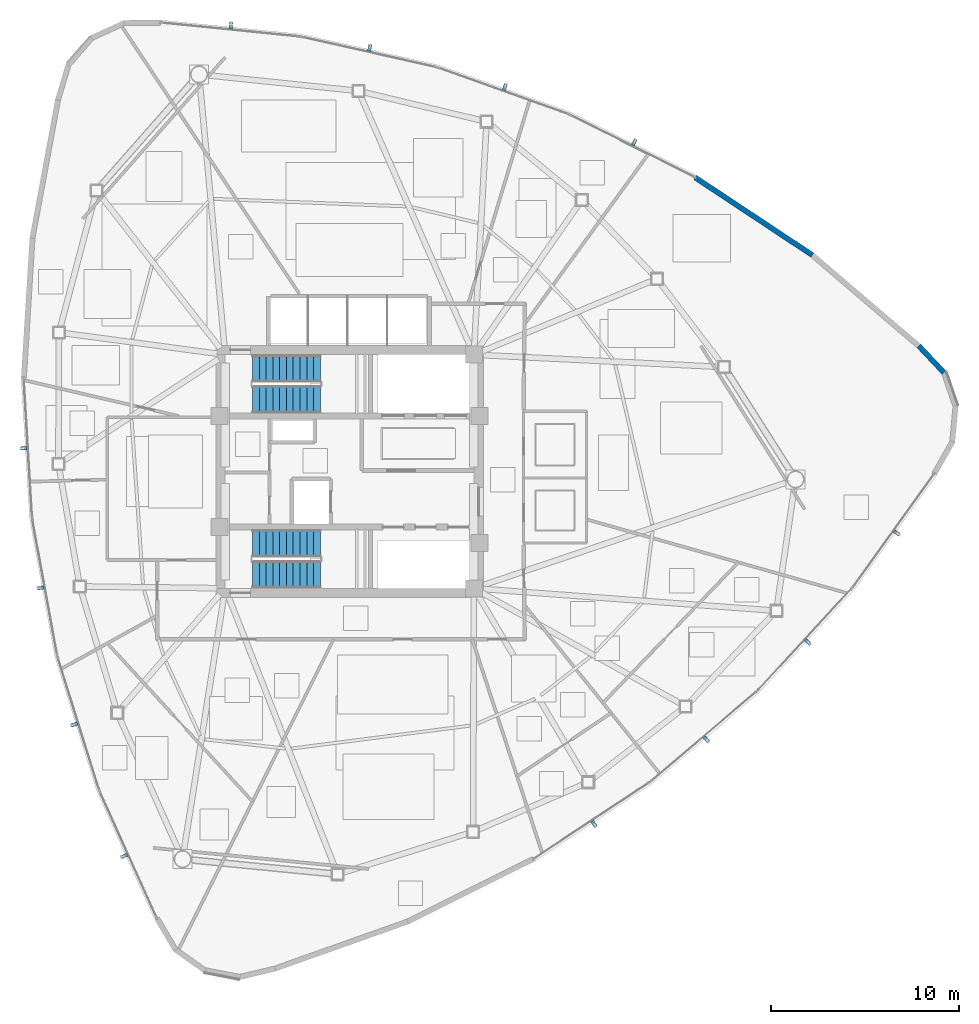
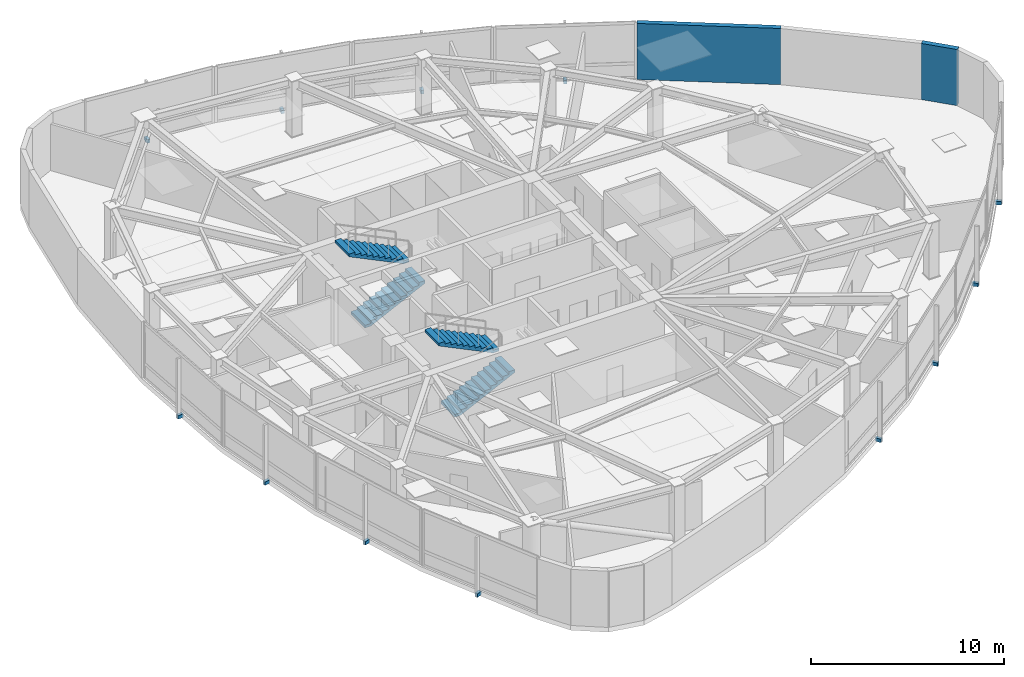
# One storey, part 13 of 17: 12 discrete accessories, 4 stair flights, 2 walls, 2 elements without a shape of their own.
"""IFC4 building model written with IfcOpenShell, lengths in metres."""

from ifc_helpers import new_model, si_unit, direction, frame, frame_2d, origin, origin_2d, place, context, subcontext, project, spatial, polyline, rectangle, outline, extrude, source, transform, mapped, material, layer, layer_set, type_object, type_shapes, element, aggregate, save


model = new_model("IFC4")

# Units and contexts
model_context = context("Model", 3, precision=1e-05, world=origin(), true_north=direction((0.0, 1.0)))
body_context = subcontext(model_context, "Body", "Model", "MODEL_VIEW")
ifc_project = project(units=[si_unit("LENGTHUNIT", "METRE"), si_unit("AREAUNIT", "SQUARE_METRE"), si_unit("VOLUMEUNIT", "CUBIC_METRE"), si_unit("PLANEANGLEUNIT", "RADIAN"), si_unit("MASSUNIT", "GRAM", prefix="KILO")], contexts=[model_context])

# Site, building, storey
site_placement = place(None, origin())
site = spatial("IfcSite", under=ifc_project, at=site_placement, CompositionType="ELEMENT")
building_placement = place(site_placement, origin())
building = spatial("IfcBuilding", under=site, at=building_placement, Name="Tavelor Broadcast Tower", CompositionType="ELEMENT")
storey_placement = place(building_placement, frame((0.0, 0.0, 188.75)))
storey = spatial("IfcBuildingStorey", under=building, at=storey_placement, Name="L45", CompositionType="ELEMENT", Elevation=188.75)

# Walls
ifc_material_1 = material(Name="Precast Concrete C40/50", Category="concrete")
ifc_layer = layer(ifc_material_1, 0.280029296875)
ifc_layer_set = layer_set([ifc_layer], Name="Precast Concrete C40/50")
wall_type = type_object("IfcWallType", Name="Insulated Precast Terracotta Facade Wall 280 mm", PredefinedType="STANDARD", material=ifc_layer_set)
wall_1_placement = place(storey_placement, frame((81.56298828125, 50.2451171875, 0.0), z_axis=(0.0, 0.0, 1.0), x_axis=(-0.686458504201, 0.727168977618, 0.0)))
element("IfcWall", 1, at=wall_1_placement, inside=storey, type_object=wall_type, Name="L45 Rounded Corner Structural Cladding Pier 24", PredefinedType="STANDARD", context=body_context, shape_type="SweptSolid", body=[
    extrude(rectangle(XDim=1.955078125, YDim=0.280029296875, at=frame_2d((0.9775390625, 0.0))), origin(), (0.0, 0.0, 1.0), 3.550048828125),
])
wall_2_placement = place(storey_placement, frame((74.5732421875, 56.486572265625, 0.0), z_axis=(0.0, 0.0, 1.0), x_axis=(-0.833630247996, 0.552322921511, 0.0)))
element("IfcWall", 2, at=wall_2_placement, inside=storey, type_object=wall_type, Name="L45 Rounded Corner Structural Cladding Pier 26", PredefinedType="STANDARD", context=body_context, shape_type="SweptSolid", body=[
    extrude(rectangle(XDim=7.472412109375, YDim=0.280029296875, at=frame_2d((3.736328125, 0.0))), origin(), (0.0, 0.0, 1.0), 3.550048828125),
])

# Stair, stair flights
ifc_material_2 = material(Name="Concrete C40/50", Category="concrete")
stair_type = type_object("IfcStairType", Name="Reinforced Concrete Protected Dogleg Stair 1450 mm", PredefinedType="HALF_TURN_STAIR", material=ifc_material_2)
stair_1_placement = place(storey_placement, origin())
stair_1 = element("IfcStair", 3, at=stair_1_placement, inside=storey, type_object=stair_type, Name="L45 Protected Core Exit Stair ST1", PredefinedType="HALF_TURN_STAIR")
stair_flight_type = type_object("IfcStairFlightType", Name="Reinforced Concrete Stair Flight 1450 mm", PredefinedType="STRAIGHT", material=ifc_material_2)
stair_flight_1_placement = place(storey_placement, frame((44.85009765625, 48.824951171875, 0.0), z_axis=(0.0, 0.0, 1.0), x_axis=(1.0, 0.0, 0.0)))
stair_flight_1 = element("IfcStairFlight", 4, at=stair_flight_1_placement, type_object=stair_flight_type, Name="ST1 flight 1", NumberOfRisers=11, NumberOfTreads=10, PredefinedType="STRAIGHT", RiserHeight=0.175, TreadLength=0.36, context=body_context, shape_type="SweptSolid", body=[
    extrude(outline(polyline([(0.0, 0.0), (0.0, 0.175048828125), (0.360107421875, 0.175048828125), (0.360107421875, 0.35009765625), (0.719970703125, 0.35009765625), (0.719970703125, 0.52490234375), (1.080078125, 0.52490234375), (1.080078125, 0.699951171875), (1.43994140625, 0.699951171875), (1.43994140625, 0.875), (1.800048828125, 0.875), (1.800048828125, 1.050048828125), (2.159912109375, 1.050048828125), (2.159912109375, 1.22509765625), (2.52001953125, 1.22509765625), (2.52001953125, 1.39990234375), (2.8798828125, 1.39990234375), (2.8798828125, 1.574951171875), (3.239990234375, 1.574951171875), (3.239990234375, 1.75), (3.60009765625, 1.75), (3.60009765625, 1.925048828125), (3.60009765625, 1.583251953125), (0.3427734375, 0.0), (0.0, 0.0)])), frame((0.0, 0.72509765625, 0.0), z_axis=(0.0, -1.0, 0.0), x_axis=(1.0, 0.0, 0.0)), (0.0, 0.0, 1.0), 1.449951171875),
])
stair_flight_2_placement = place(storey_placement, frame((48.449951171875, 50.47509765625, 1.925048828125), z_axis=(0.0, 0.0, 1.0), x_axis=(-1.0, 0.0, 0.0)))
stair_flight_2 = element("IfcStairFlight", 5, at=stair_flight_2_placement, type_object=stair_flight_type, Name="ST1 flight 2", NumberOfRisers=11, NumberOfTreads=10, PredefinedType="STRAIGHT", RiserHeight=0.175, TreadLength=0.36, context=body_context, shape_type="SweptSolid", body=[
    extrude(outline(polyline([(0.0, 0.0), (0.0, 0.175048828125), (0.360107421875, 0.175048828125), (0.360107421875, 0.35009765625), (0.719970703125, 0.35009765625), (0.719970703125, 0.52490234375), (1.080078125, 0.52490234375), (1.080078125, 0.699951171875), (1.43994140625, 0.699951171875), (1.43994140625, 0.875), (1.800048828125, 0.875), (1.800048828125, 1.050048828125), (2.159912109375, 1.050048828125), (2.159912109375, 1.22509765625), (2.52001953125, 1.22509765625), (2.52001953125, 1.39990234375), (2.8798828125, 1.39990234375), (2.8798828125, 1.574951171875), (3.239990234375, 1.574951171875), (3.239990234375, 1.75), (3.60009765625, 1.75), (3.60009765625, 1.925048828125), (3.60009765625, 1.583251953125), (0.3427734375, 0.0), (0.0, 0.0)])), frame((0.0, 0.72509765625, 0.0), z_axis=(0.0, -1.0, 0.0), x_axis=(1.0, 0.0, 0.0)), (0.0, 0.0, 1.0), 1.449951171875),
])
aggregate(stair_1, [stair_flight_1, stair_flight_2])

stair_2_placement = place(storey_placement, origin())
stair_2 = element("IfcStair", 6, at=stair_2_placement, inside=storey, type_object=stair_type, Name="L45 Protected Core Exit Stair ST2", PredefinedType="HALF_TURN_STAIR")
stair_flight_3_placement = place(storey_placement, frame((44.85009765625, 39.52490234375, 0.0), z_axis=(0.0, 0.0, 1.0), x_axis=(1.0, 0.0, 0.0)))
stair_flight_3 = element("IfcStairFlight", 7, at=stair_flight_3_placement, type_object=stair_flight_type, Name="ST2 flight 1", NumberOfRisers=11, NumberOfTreads=10, PredefinedType="STRAIGHT", RiserHeight=0.175, TreadLength=0.36, context=body_context, shape_type="SweptSolid", body=[
    extrude(outline(polyline([(0.0, 0.0), (0.0, 0.175048828125), (0.360107421875, 0.175048828125), (0.360107421875, 0.35009765625), (0.719970703125, 0.35009765625), (0.719970703125, 0.52490234375), (1.080078125, 0.52490234375), (1.080078125, 0.699951171875), (1.43994140625, 0.699951171875), (1.43994140625, 0.875), (1.800048828125, 0.875), (1.800048828125, 1.050048828125), (2.159912109375, 1.050048828125), (2.159912109375, 1.22509765625), (2.52001953125, 1.22509765625), (2.52001953125, 1.39990234375), (2.8798828125, 1.39990234375), (2.8798828125, 1.574951171875), (3.239990234375, 1.574951171875), (3.239990234375, 1.75), (3.60009765625, 1.75), (3.60009765625, 1.925048828125), (3.60009765625, 1.583251953125), (0.3427734375, 0.0), (0.0, 0.0)])), frame((0.0, 0.72509765625, 0.0), z_axis=(0.0, -1.0, 0.0), x_axis=(1.0, 0.0, 0.0)), (0.0, 0.0, 1.0), 1.449951171875),
])
stair_flight_4_placement = place(storey_placement, frame((48.449951171875, 41.175048828125, 1.925048828125), z_axis=(0.0, 0.0, 1.0), x_axis=(-1.0, 0.0, 0.0)))
stair_flight_4 = element("IfcStairFlight", 8, at=stair_flight_4_placement, type_object=stair_flight_type, Name="ST2 flight 2", NumberOfRisers=11, NumberOfTreads=10, PredefinedType="STRAIGHT", RiserHeight=0.175, TreadLength=0.36, context=body_context, shape_type="SweptSolid", body=[
    extrude(outline(polyline([(0.0, 0.0), (0.0, 0.175048828125), (0.360107421875, 0.175048828125), (0.360107421875, 0.35009765625), (0.719970703125, 0.35009765625), (0.719970703125, 0.52490234375), (1.080078125, 0.52490234375), (1.080078125, 0.699951171875), (1.43994140625, 0.699951171875), (1.43994140625, 0.875), (1.800048828125, 0.875), (1.800048828125, 1.050048828125), (2.159912109375, 1.050048828125), (2.159912109375, 1.22509765625), (2.52001953125, 1.22509765625), (2.52001953125, 1.39990234375), (2.8798828125, 1.39990234375), (2.8798828125, 1.574951171875), (3.239990234375, 1.574951171875), (3.239990234375, 1.75), (3.60009765625, 1.75), (3.60009765625, 1.925048828125), (3.60009765625, 1.583251953125), (0.3427734375, 0.0), (0.0, 0.0)])), frame((0.0, 0.72509765625, 0.0), z_axis=(0.0, -1.0, 0.0), x_axis=(1.0, 0.0, 0.0)), (0.0, 0.0, 1.0), 1.449951171875),
])
aggregate(stair_2, [stair_flight_3, stair_flight_4])

# Discrete accessories
ifc_material_3 = material(Name="Steel S355", Category="steel")
discrete_accessory_type = type_object("IfcDiscreteAccessoryType", Name="Stainless Baguette Outrigger Support Bracket 260x180", PredefinedType="BRACKET", material=ifc_material_3)
shared_shape = source(origin(), body_context, "Body", "SweptSolid", [
    extrude(rectangle(XDim=0.179931640625, YDim=0.340087890625, at=origin_2d()), origin(), (0.0, 0.0, 1.0), 0.216064453125),
])
type_shapes(discrete_accessory_type, [shared_shape])
for number, where, z_axis, x_axis, name in (
    (9, (32.70947265625, 46.232421875, -0.2578125), (0.0, 0.0, 1.0), (0.05965482139, -0.998219065278, 0.0), "L45 Baguette Outrigger Bracket 469"),
    (10, (33.6064453125, 38.820068359375, -0.2578125), (0.0, 0.0, 1.0), (0.180175803048, -0.983634423958, 0.0), "L45 Baguette Outrigger Bracket 470"),
    (11, (35.393798828125, 31.570556640625, -0.2578125), (0.0, 0.0, 1.0), (0.297874744877, -0.954604963513, 0.0), "L45 Baguette Outrigger Bracket 471"),
    (12, (38.04541015625, 24.5908203125, -0.2578125), (0.0, 0.0, 1.0), (0.411196193781, -0.911546866716, 0.0), "L45 Baguette Outrigger Bracket 472"),
    (13, (62.97802734375, 26.2919921875, -0.2578125), (0.0, 0.0, 1.0), (0.834655658378, 0.550772123421, 0.0), "L45 Baguette Outrigger Bracket 473"),
    (14, (68.94873046875, 30.775146484375, -0.2578125), (0.0, 0.0, 1.0), (0.761764497661, 0.647854034566, 0.0), "L45 Baguette Outrigger Bracket 474"),
    (15, (74.333251953125, 35.94775390625, -0.2578125), (0.0, 0.0, 1.0), (0.677774776543, 0.735269577966, 0.0), "L45 Baguette Outrigger Bracket 475"),
    (16, (79.05224609375, 41.73388671875, -0.2578125), (0.0, 0.0, 1.0), (0.583824646426, 0.811879783112, 0.0), "L45 Baguette Outrigger Bracket 476"),
    (17, (65.112548828125, 62.4755859375, -0.2578125), (0.0, 0.0, 1.0), (-0.89438856037, 0.447290848419, 0.0), "L45 Baguette Outrigger Bracket 477"),
    (18, (58.244873046875, 65.40478515625, -0.2578125), (0.0, 0.0, 1.0), (-0.941881681629, 0.335944783874, 0.0), "L45 Baguette Outrigger Bracket 478"),
    (19, (51.072998046875, 67.481689453125, -0.2578125), (0.0, 0.0, 1.0), (-0.97564952142, 0.219335385547, 0.0), "L45 Baguette Outrigger Bracket 479"),
    (20, (43.702392578125, 68.67529296875, -0.2578125), (0.0, 0.0, 1.0), (-0.995020840207, 0.099667083604, 0.0), "L45 Baguette Outrigger Bracket 480"),
):
    element("IfcDiscreteAccessory", number, at=place(storey_placement, frame(where, z_axis=z_axis, x_axis=x_axis)), inside=storey, type_object=discrete_accessory_type, Name=name, PredefinedType="BRACKET", context=body_context, shape_type="MappedRepresentation", body=[
        mapped(shared_shape, transform((0.0, 0.0, 0.0), scale=1.0)),
    ])

save(model, "model.ifc")
